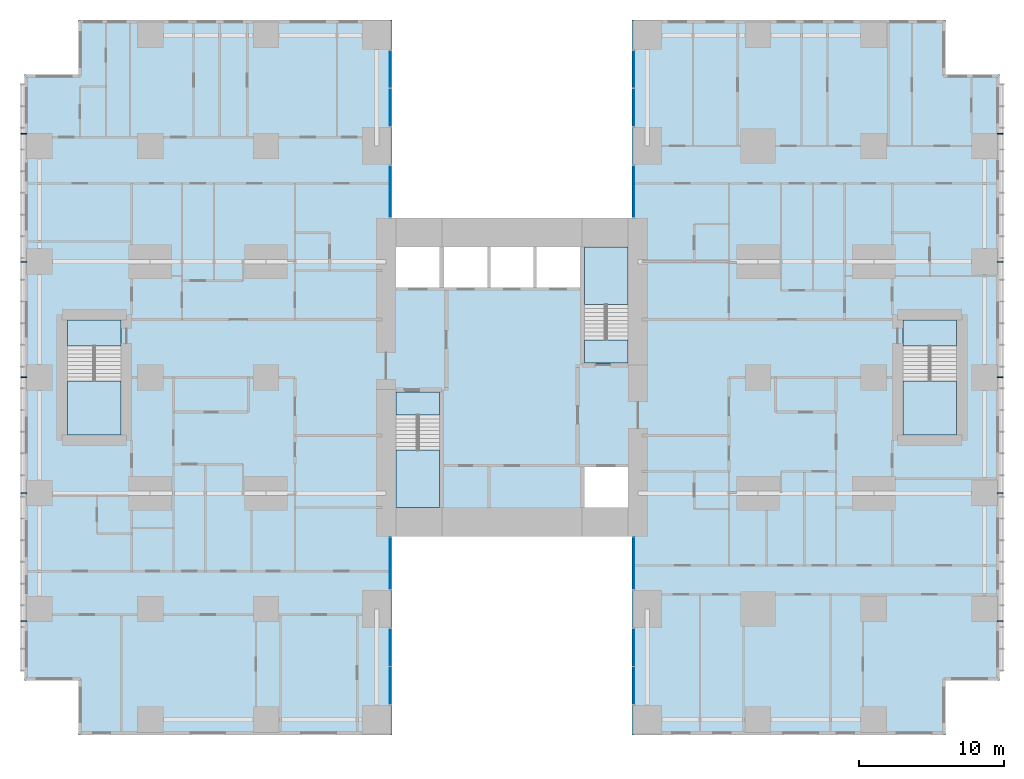
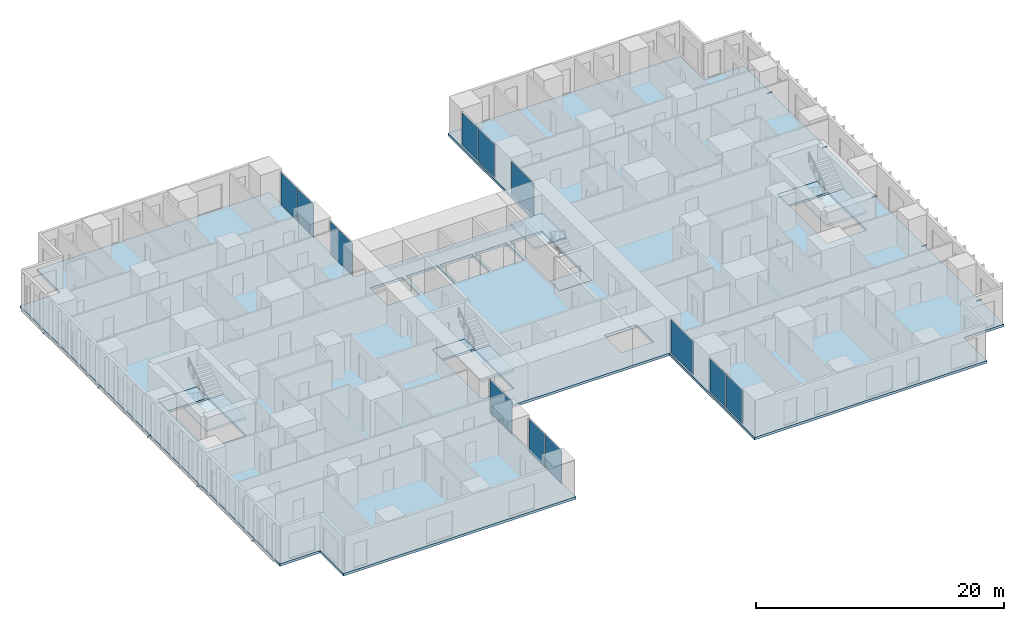
# One storey, part 7 of 20: 12 plates, 10 members, 9 slabs, 12 elements without a shape of their own.
"""IFC4 building model written with IfcOpenShell, lengths in metres."""

from ifc_helpers import new_model, si_unit, direction, frame, origin, origin_2d, place, context, subcontext, project, spatial, polyline, rectangle, hollow_rectangle, outline, extrude, material, layer, layer_set, material_profile, profile_set, type_object, element, aggregate, save


model = new_model("IFC4")

# Units and contexts
model_context = context("Model", 3, precision=1e-05, world=origin(), true_north=direction((0.0, 1.0)))
body_context = subcontext(model_context, "Body", "Model", "MODEL_VIEW")
ifc_project = project(units=[si_unit("LENGTHUNIT", "METRE"), si_unit("AREAUNIT", "SQUARE_METRE"), si_unit("VOLUMEUNIT", "CUBIC_METRE"), si_unit("PLANEANGLEUNIT", "RADIAN"), si_unit("MASSUNIT", "GRAM", prefix="KILO")], contexts=[model_context])

# Site, building, storey
site_placement = place(None, origin())
site = spatial("IfcSite", under=ifc_project, at=site_placement, CompositionType="ELEMENT")
building_placement = place(site_placement, origin())
building = spatial("IfcBuilding", under=site, at=building_placement, Name="Cleftline Residences", CompositionType="ELEMENT")
storey_placement = place(building_placement, frame((0.0, 0.0, 214.60009765625)))
storey = spatial("IfcBuildingStorey", under=building, at=storey_placement, Name="L56", CompositionType="ELEMENT", Elevation=214.60009765625)

# Members
ifc_material_1 = material(Name="Steel S355, hot-dip galvanised", Category="steel")
ifc_material_profile = material_profile(ifc_material_1, hollow_rectangle(XDim=0.10009765625, YDim=0.10009765625, WallThickness=0.008056640625, InnerFilletRadius=0.008056640625, OuterFilletRadius=0.011962890625, at=origin_2d()))
ifc_profile_set = profile_set([ifc_material_profile], Name="Steel S355, hot-dip galvanised")
member_type = type_object("IfcMemberType", Name="BAGUETTE BRACKET SHS 100X100X8", PredefinedType="USERDEFINED", material=ifc_profile_set)
for number, where, z_axis, x_axis, name in (
    (1, (66.5, 7.14990234375, -0.150146484375), (1.0, 0.0, 0.0), (0.0, 1.0, 0.0), "Baguette bracket"),
    (2, (66.5, 16.0, -0.150146484375), (1.0, 0.0, 0.0), (0.0, 1.0, 0.0), "Baguette bracket"),
    (3, (66.5, 24.0, -0.150146484375), (1.0, 0.0, 0.0), (0.0, 1.0, 0.0), "Baguette bracket"),
    (4, (66.5, 32.0, -0.150146484375), (1.0, 0.0, 0.0), (0.0, 1.0, 0.0), "Baguette bracket"),
    (5, (66.5, 40.85009765625, -0.150146484375), (1.0, 0.0, 0.0), (0.0, 1.0, 0.0), "Baguette bracket"),
    (6, (-0.5, 40.85009765625, -0.150146484375), (-1.0, 0.0, 0.0), (0.0, -1.0, 0.0), "Baguette bracket"),
    (7, (-0.5, 32.0, -0.150146484375), (-1.0, 0.0, 0.0), (0.0, -1.0, 0.0), "Baguette bracket"),
    (8, (-0.5, 24.0, -0.150146484375), (-1.0, 0.0, 0.0), (0.0, -1.0, 0.0), "Baguette bracket"),
    (9, (-0.5, 16.0, -0.150146484375), (-1.0, 0.0, 0.0), (0.0, -1.0, 0.0), "Baguette bracket"),
    (10, (-0.5, 7.14990234375, -0.150146484375), (-1.0, 0.0, 0.0), (0.0, -1.0, 0.0), "Baguette bracket"),
):
    element("IfcMember", number, at=place(storey_placement, frame(where, z_axis=z_axis, x_axis=x_axis)), inside=storey, type_object=member_type, Name=name, ObjectType="BAGUETTE BRACKET", PredefinedType="USERDEFINED", context=body_context, shape_type="SweptSolid", body=[
        extrude(hollow_rectangle(XDim=0.10009765625, YDim=0.10009765625, WallThickness=0.008056640625, InnerFilletRadius=0.008056640625, OuterFilletRadius=0.011962890625, at=origin_2d()), origin(), (0.0, 0.0, 1.0), 0.449951171875),
    ])

# Curtain wall, plates
ifc_material_2 = material(Name="Aluminium framed curtain wall", Category="aluminium")
ifc_layer_1 = layer(ifc_material_2, 0.199951171875)
ifc_layer_set_1 = layer_set([ifc_layer_1], Name="CW1 CLEFT GLAZING")
curtain_wall_type = type_object("IfcCurtainWallType", Name="CW1 CLEFT GLAZING", PredefinedType="NOTDEFINED", material=ifc_layer_set_1)
curtain_wall_1_placement = place(storey_placement, origin())
curtain_wall_1 = element("IfcCurtainWall", 11, at=curtain_wall_1_placement, inside=storey, type_object=curtain_wall_type, Name="Curtain wall CW1", PredefinedType="NOTDEFINED")
ifc_material_3 = material(Name="Laminated clear glass", Category="glass")
ifc_layer_2 = layer(ifc_material_3, 0.028076171875)
ifc_layer_set_2 = layer_set([ifc_layer_2], Name="CW1 GLASS PANEL")
plate_type = type_object("IfcPlateType", Name="CW1 GLASS PANEL", PredefinedType="CURTAIN_PANEL", material=ifc_layer_set_2)
plate_1_placement = place(storey_placement, frame((24.574951171875, 2.702392578125, 0.059814453125), z_axis=(0.0, 0.0, 1.0), x_axis=(0.0, 1.0, 0.0)))
plate_1 = element("IfcPlate", 12, at=plate_1_placement, type_object=plate_type, Name="CW1 panel 1.1", PredefinedType="CURTAIN_PANEL", context=body_context, shape_type="SweptSolid", body=[
    extrude(rectangle(XDim=2.5849609375, YDim=0.028076171875, at=origin_2d()), origin(), (0.0, 0.0, 1.0), 3.22998046875),
])
plate_2_placement = place(storey_placement, frame((24.574951171875, 5.347412109375, 0.059814453125), z_axis=(0.0, 0.0, 1.0), x_axis=(0.0, 1.0, 0.0)))
plate_2 = element("IfcPlate", 13, at=plate_2_placement, type_object=plate_type, Name="CW1 panel 2.1", PredefinedType="CURTAIN_PANEL", context=body_context, shape_type="SweptSolid", body=[
    extrude(rectangle(XDim=2.5849609375, YDim=0.028076171875, at=origin_2d()), origin(), (0.0, 0.0, 1.0), 3.22998046875),
])
aggregate(curtain_wall_1, [plate_1, plate_2])

# Curtain wall, plate
curtain_wall_2_placement = place(storey_placement, origin())
curtain_wall_2 = element("IfcCurtainWall", 14, at=curtain_wall_2_placement, inside=storey, type_object=curtain_wall_type, Name="Curtain wall CW1", PredefinedType="NOTDEFINED")
plate_3_placement = place(storey_placement, frame((24.574951171875, 11.14990234375, 0.059814453125), z_axis=(0.0, 0.0, 1.0), x_axis=(0.0, 1.0, 0.0)))
plate_3 = element("IfcPlate", 15, at=plate_3_placement, type_object=plate_type, Name="CW1 panel 1.1", PredefinedType="CURTAIN_PANEL", context=body_context, shape_type="SweptSolid", body=[
    extrude(rectangle(XDim=3.580078125, YDim=0.028076171875, at=origin_2d()), origin(), (0.0, 0.0, 1.0), 3.22998046875),
])
aggregate(curtain_wall_2, [plate_3])

curtain_wall_3_placement = place(storey_placement, origin())
curtain_wall_3 = element("IfcCurtainWall", 16, at=curtain_wall_3_placement, inside=storey, type_object=curtain_wall_type, Name="Curtain wall CW1", PredefinedType="NOTDEFINED")
plate_4_placement = place(storey_placement, frame((41.425048828125, 11.14990234375, 0.059814453125), z_axis=(0.0, 0.0, 1.0), x_axis=(0.0, -1.0, 0.0)))
plate_4 = element("IfcPlate", 17, at=plate_4_placement, type_object=plate_type, Name="CW1 panel 1.1", PredefinedType="CURTAIN_PANEL", context=body_context, shape_type="SweptSolid", body=[
    extrude(rectangle(XDim=3.580078125, YDim=0.028076171875, at=origin_2d()), origin(), (0.0, 0.0, 1.0), 3.22998046875),
])
aggregate(curtain_wall_3, [plate_4])

# Curtain wall, plates
curtain_wall_4_placement = place(storey_placement, origin())
curtain_wall_4 = element("IfcCurtainWall", 18, at=curtain_wall_4_placement, inside=storey, type_object=curtain_wall_type, Name="Curtain wall CW1", PredefinedType="NOTDEFINED")
plate_5_placement = place(storey_placement, frame((41.425048828125, 5.347412109375, 0.059814453125), z_axis=(0.0, 0.0, 1.0), x_axis=(0.0, -1.0, 0.0)))
plate_5 = element("IfcPlate", 19, at=plate_5_placement, type_object=plate_type, Name="CW1 panel 1.1", PredefinedType="CURTAIN_PANEL", context=body_context, shape_type="SweptSolid", body=[
    extrude(rectangle(XDim=2.5849609375, YDim=0.028076171875, at=origin_2d()), origin(), (0.0, 0.0, 1.0), 3.22998046875),
])
plate_6_placement = place(storey_placement, frame((41.425048828125, 2.702392578125, 0.059814453125), z_axis=(0.0, 0.0, 1.0), x_axis=(0.0, -1.0, 0.0)))
plate_6 = element("IfcPlate", 20, at=plate_6_placement, type_object=plate_type, Name="CW1 panel 2.1", PredefinedType="CURTAIN_PANEL", context=body_context, shape_type="SweptSolid", body=[
    extrude(rectangle(XDim=2.5849609375, YDim=0.028076171875, at=origin_2d()), origin(), (0.0, 0.0, 1.0), 3.22998046875),
])
aggregate(curtain_wall_4, [plate_5, plate_6])

curtain_wall_5_placement = place(storey_placement, origin())
curtain_wall_5 = element("IfcCurtainWall", 21, at=curtain_wall_5_placement, inside=storey, type_object=curtain_wall_type, Name="Curtain wall CW1", PredefinedType="NOTDEFINED")
plate_7_placement = place(storey_placement, frame((41.425048828125, 45.297607421875, 0.059814453125), z_axis=(0.0, 0.0, 1.0), x_axis=(0.0, -1.0, 0.0)))
plate_7 = element("IfcPlate", 22, at=plate_7_placement, type_object=plate_type, Name="CW1 panel 1.1", PredefinedType="CURTAIN_PANEL", context=body_context, shape_type="SweptSolid", body=[
    extrude(rectangle(XDim=2.5849609375, YDim=0.028076171875, at=origin_2d()), origin(), (0.0, 0.0, 1.0), 3.22998046875),
])
plate_8_placement = place(storey_placement, frame((41.425048828125, 42.652587890625, 0.059814453125), z_axis=(0.0, 0.0, 1.0), x_axis=(0.0, -1.0, 0.0)))
plate_8 = element("IfcPlate", 23, at=plate_8_placement, type_object=plate_type, Name="CW1 panel 2.1", PredefinedType="CURTAIN_PANEL", context=body_context, shape_type="SweptSolid", body=[
    extrude(rectangle(XDim=2.5849609375, YDim=0.028076171875, at=origin_2d()), origin(), (0.0, 0.0, 1.0), 3.22998046875),
])
aggregate(curtain_wall_5, [plate_7, plate_8])

# Curtain wall, plate
curtain_wall_6_placement = place(storey_placement, origin())
curtain_wall_6 = element("IfcCurtainWall", 24, at=curtain_wall_6_placement, inside=storey, type_object=curtain_wall_type, Name="Curtain wall CW1", PredefinedType="NOTDEFINED")
plate_9_placement = place(storey_placement, frame((41.425048828125, 36.85009765625, 0.059814453125), z_axis=(0.0, 0.0, 1.0), x_axis=(0.0, -1.0, 0.0)))
plate_9 = element("IfcPlate", 25, at=plate_9_placement, type_object=plate_type, Name="CW1 panel 1.1", PredefinedType="CURTAIN_PANEL", context=body_context, shape_type="SweptSolid", body=[
    extrude(rectangle(XDim=3.580078125, YDim=0.028076171875, at=origin_2d()), origin(), (0.0, 0.0, 1.0), 3.22998046875),
])
aggregate(curtain_wall_6, [plate_9])

curtain_wall_7_placement = place(storey_placement, origin())
curtain_wall_7 = element("IfcCurtainWall", 26, at=curtain_wall_7_placement, inside=storey, type_object=curtain_wall_type, Name="Curtain wall CW1", PredefinedType="NOTDEFINED")
plate_10_placement = place(storey_placement, frame((24.574951171875, 36.85009765625, 0.059814453125), z_axis=(0.0, 0.0, 1.0), x_axis=(0.0, 1.0, 0.0)))
plate_10 = element("IfcPlate", 27, at=plate_10_placement, type_object=plate_type, Name="CW1 panel 1.1", PredefinedType="CURTAIN_PANEL", context=body_context, shape_type="SweptSolid", body=[
    extrude(rectangle(XDim=3.580078125, YDim=0.028076171875, at=origin_2d()), origin(), (0.0, 0.0, 1.0), 3.22998046875),
])
aggregate(curtain_wall_7, [plate_10])

# Curtain wall, plates
curtain_wall_8_placement = place(storey_placement, origin())
curtain_wall_8 = element("IfcCurtainWall", 28, at=curtain_wall_8_placement, inside=storey, type_object=curtain_wall_type, Name="Curtain wall CW1", PredefinedType="NOTDEFINED")
plate_11_placement = place(storey_placement, frame((24.574951171875, 42.652587890625, 0.059814453125), z_axis=(0.0, 0.0, 1.0), x_axis=(0.0, 1.0, 0.0)))
plate_11 = element("IfcPlate", 29, at=plate_11_placement, type_object=plate_type, Name="CW1 panel 1.1", PredefinedType="CURTAIN_PANEL", context=body_context, shape_type="SweptSolid", body=[
    extrude(rectangle(XDim=2.5849609375, YDim=0.028076171875, at=origin_2d()), origin(), (0.0, 0.0, 1.0), 3.22998046875),
])
plate_12_placement = place(storey_placement, frame((24.574951171875, 45.297607421875, 0.059814453125), z_axis=(0.0, 0.0, 1.0), x_axis=(0.0, 1.0, 0.0)))
plate_12 = element("IfcPlate", 30, at=plate_12_placement, type_object=plate_type, Name="CW1 panel 2.1", PredefinedType="CURTAIN_PANEL", context=body_context, shape_type="SweptSolid", body=[
    extrude(rectangle(XDim=2.5849609375, YDim=0.028076171875, at=origin_2d()), origin(), (0.0, 0.0, 1.0), 3.22998046875),
])
aggregate(curtain_wall_8, [plate_11, plate_12])

# Slab
ifc_material_4 = material(Name="Concrete B45", Category="concrete")
ifc_layer_3 = layer(ifc_material_4, 0.25)
ifc_layer_set_3 = layer_set([ifc_layer_3], Name="FLOOR SLAB 250")
slab_type_1 = type_object("IfcSlabType", Name="FLOOR SLAB 250", PredefinedType="FLOOR", material=ifc_layer_set_3)
slab_1_placement = place(storey_placement, frame((0.0, 0.0, -0.25)))
element("IfcSlab", 31, at=slab_1_placement, inside=storey, type_object=slab_type_1, Name="Floor slab L56", PredefinedType="FLOOR", context=body_context, shape_type="SweptSolid", body=[
    extrude(outline(polyline([(24.699951171875, 13.0), (41.300048828125, 13.0), (41.300048828125, -0.699951171875), (62.949951171875, -0.699951171875), (62.949951171875, 3.050048828125), (66.699951171875, 3.050048828125), (66.699951171875, 44.949951171875), (62.949951171875, 44.949951171875), (62.949951171875, 48.699951171875), (41.300048828125, 48.699951171875), (41.300048828125, 35.0), (24.699951171875, 35.0), (24.699951171875, 48.699951171875), (3.050048828125, 48.699951171875), (3.050048828125, 44.949951171875), (-0.699951171875, 44.949951171875), (-0.699951171875, 3.050048828125), (3.050048828125, 3.050048828125), (3.050048828125, -0.699951171875), (24.699951171875, -0.699951171875), (24.699951171875, 13.0)]), holes=[polyline([(28.0, 15.0), (28.0, 23.0), (25.0, 23.0), (25.0, 15.0), (28.0, 15.0)]), polyline([(41.0, 25.0), (41.0, 33.0), (38.0, 33.0), (38.0, 25.0), (41.0, 25.0)]), polyline([(28.0, 30.199951171875), (28.0, 33.0), (25.0, 33.0), (25.0, 30.199951171875), (28.0, 30.199951171875)]), polyline([(41.0, 15.0), (41.0, 17.800048828125), (38.0, 17.800048828125), (38.0, 15.0), (41.0, 15.0)]), polyline([(31.300048828125, 30.199951171875), (31.300048828125, 33.0), (28.300048828125, 33.0), (28.300048828125, 30.199951171875), (31.300048828125, 30.199951171875)]), polyline([(34.5, 30.199951171875), (34.5, 33.0), (31.5, 33.0), (31.5, 30.199951171875), (34.5, 30.199951171875)]), polyline([(37.699951171875, 30.199951171875), (37.699951171875, 33.0), (34.699951171875, 33.0), (34.699951171875, 30.199951171875), (37.699951171875, 30.199951171875)]), polyline([(63.72509765625, 20.02490234375), (63.72509765625, 27.97509765625), (60.02490234375, 27.97509765625), (60.02490234375, 20.02490234375), (63.72509765625, 20.02490234375)]), polyline([(5.97509765625, 20.02490234375), (5.97509765625, 27.97509765625), (2.27490234375, 27.97509765625), (2.27490234375, 20.02490234375), (5.97509765625, 20.02490234375)])]), origin(), (0.0, 0.0, 1.0), 0.25),
])

# Stair, slabs
ifc_material_5 = material(Name="Concrete B45, stone treads", Category="masonry")
stair_type_1 = type_object("IfcStairType", Name="STAIR A 1450 WIDE 180 RISER", PredefinedType="HALF_TURN_STAIR", material=ifc_material_5)
stair_1_placement = place(storey_placement, origin())
stair_1 = element("IfcStair", 32, at=stair_1_placement, inside=storey, type_object=stair_type_1, Name="Stair A L56", PredefinedType="HALF_TURN_STAIR")
ifc_material_6 = material(Name="Concrete B45", Category="concrete")
ifc_layer_4 = layer(ifc_material_6, 0.199951171875)
ifc_layer_set_4 = layer_set([ifc_layer_4], Name="STAIR LANDING 200")
slab_type_2 = type_object("IfcSlabType", Name="STAIR LANDING 200", PredefinedType="LANDING", material=ifc_layer_set_4)
slab_2_placement = place(storey_placement, frame((0.0, 0.0, -0.2001953125)))
slab_2 = element("IfcSlab", 33, at=slab_2_placement, type_object=slab_type_2, Name="ST-A landing 1", PredefinedType="LANDING", context=body_context, shape_type="SweptSolid", body=[
    extrude(outline(polyline([(25.0, 21.39990234375), (28.0, 21.39990234375), (28.0, 23.0), (25.0, 23.0), (25.0, 21.39990234375)])), origin(), (0.0, 0.0, 1.0), 0.2001953125),
])
slab_3_placement = place(storey_placement, frame((0.0, 0.0, 1.599853515625)))
slab_3 = element("IfcSlab", 34, at=slab_3_placement, type_object=slab_type_2, Name="ST-A landing 2", PredefinedType="LANDING", context=body_context, shape_type="SweptSolid", body=[
    extrude(outline(polyline([(25.0, 15.0), (28.0, 15.0), (28.0, 18.969970703125), (25.0, 18.969970703125), (25.0, 15.0)])), origin(), (0.0, 0.0, 1.0), 0.199951171875),
])
aggregate(stair_1, [slab_2, slab_3])

ifc_material_7 = material(Name="Concrete B45, stone treads", Category="masonry")
stair_type_2 = type_object("IfcStairType", Name="STAIR B 1450 WIDE 180 RISER", PredefinedType="HALF_TURN_STAIR", material=ifc_material_7)
stair_2_placement = place(storey_placement, origin())
stair_2 = element("IfcStair", 35, at=stair_2_placement, inside=storey, type_object=stair_type_2, Name="Stair B L56", PredefinedType="HALF_TURN_STAIR")
slab_4_placement = place(storey_placement, frame((0.0, 0.0, -0.2001953125)))
slab_4 = element("IfcSlab", 36, at=slab_4_placement, type_object=slab_type_2, Name="ST-B landing 1", PredefinedType="LANDING", context=body_context, shape_type="SweptSolid", body=[
    extrude(outline(polyline([(38.0, 25.0), (41.0, 25.0), (41.0, 26.60009765625), (38.0, 26.60009765625), (38.0, 25.0)])), origin(), (0.0, 0.0, 1.0), 0.2001953125),
])
slab_5_placement = place(storey_placement, frame((0.0, 0.0, 1.599853515625)))
slab_5 = element("IfcSlab", 37, at=slab_5_placement, type_object=slab_type_2, Name="ST-B landing 2", PredefinedType="LANDING", context=body_context, shape_type="SweptSolid", body=[
    extrude(outline(polyline([(38.0, 29.030029296875), (41.0, 29.030029296875), (41.0, 33.0), (38.0, 33.0), (38.0, 29.030029296875)])), origin(), (0.0, 0.0, 1.0), 0.199951171875),
])
aggregate(stair_2, [slab_4, slab_5])

ifc_material_8 = material(Name="Concrete B45, stone treads", Category="masonry")
stair_type_3 = type_object("IfcStairType", Name="STAIR E 1800 WIDE 180 RISER", PredefinedType="HALF_TURN_STAIR", material=ifc_material_8)
stair_3_placement = place(storey_placement, origin())
stair_3 = element("IfcStair", 38, at=stair_3_placement, inside=storey, type_object=stair_type_3, Name="Stair E L56", PredefinedType="HALF_TURN_STAIR")
slab_6_placement = place(storey_placement, frame((0.0, 0.0, -0.2001953125)))
slab_6 = element("IfcSlab", 39, at=slab_6_placement, type_object=slab_type_2, Name="ST-E landing 1", PredefinedType="LANDING", context=body_context, shape_type="SweptSolid", body=[
    extrude(outline(polyline([(60.02490234375, 26.175048828125), (63.72509765625, 26.175048828125), (63.72509765625, 27.97509765625), (60.02490234375, 27.97509765625), (60.02490234375, 26.175048828125)])), origin(), (0.0, 0.0, 1.0), 0.2001953125),
])
slab_7_placement = place(storey_placement, frame((0.0, 0.0, 1.599853515625)))
slab_7 = element("IfcSlab", 40, at=slab_7_placement, type_object=slab_type_2, Name="ST-E landing 2", PredefinedType="LANDING", context=body_context, shape_type="SweptSolid", body=[
    extrude(outline(polyline([(60.02490234375, 20.02490234375), (63.72509765625, 20.02490234375), (63.72509765625, 23.7451171875), (60.02490234375, 23.7451171875), (60.02490234375, 20.02490234375)])), origin(), (0.0, 0.0, 1.0), 0.199951171875),
])
aggregate(stair_3, [slab_6, slab_7])

ifc_material_9 = material(Name="Concrete B45, stone treads", Category="masonry")
stair_type_4 = type_object("IfcStairType", Name="STAIR W 1800 WIDE 180 RISER", PredefinedType="HALF_TURN_STAIR", material=ifc_material_9)
stair_4_placement = place(storey_placement, origin())
stair_4 = element("IfcStair", 41, at=stair_4_placement, inside=storey, type_object=stair_type_4, Name="Stair W L56", PredefinedType="HALF_TURN_STAIR")
slab_8_placement = place(storey_placement, frame((0.0, 0.0, -0.2001953125)))
slab_8 = element("IfcSlab", 42, at=slab_8_placement, type_object=slab_type_2, Name="ST-W landing 1", PredefinedType="LANDING", context=body_context, shape_type="SweptSolid", body=[
    extrude(outline(polyline([(2.27490234375, 26.175048828125), (5.97509765625, 26.175048828125), (5.97509765625, 27.97509765625), (2.27490234375, 27.97509765625), (2.27490234375, 26.175048828125)])), origin(), (0.0, 0.0, 1.0), 0.2001953125),
])
slab_9_placement = place(storey_placement, frame((0.0, 0.0, 1.599853515625)))
slab_9 = element("IfcSlab", 43, at=slab_9_placement, type_object=slab_type_2, Name="ST-W landing 2", PredefinedType="LANDING", context=body_context, shape_type="SweptSolid", body=[
    extrude(outline(polyline([(2.27490234375, 20.02490234375), (5.97509765625, 20.02490234375), (5.97509765625, 23.7451171875), (2.27490234375, 23.7451171875), (2.27490234375, 20.02490234375)])), origin(), (0.0, 0.0, 1.0), 0.199951171875),
])
aggregate(stair_4, [slab_8, slab_9])

save(model, "model.ifc")
